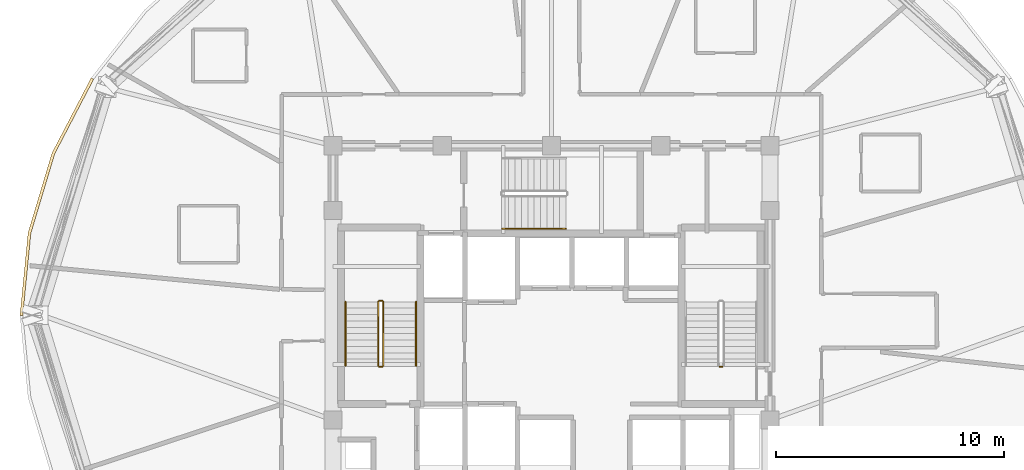
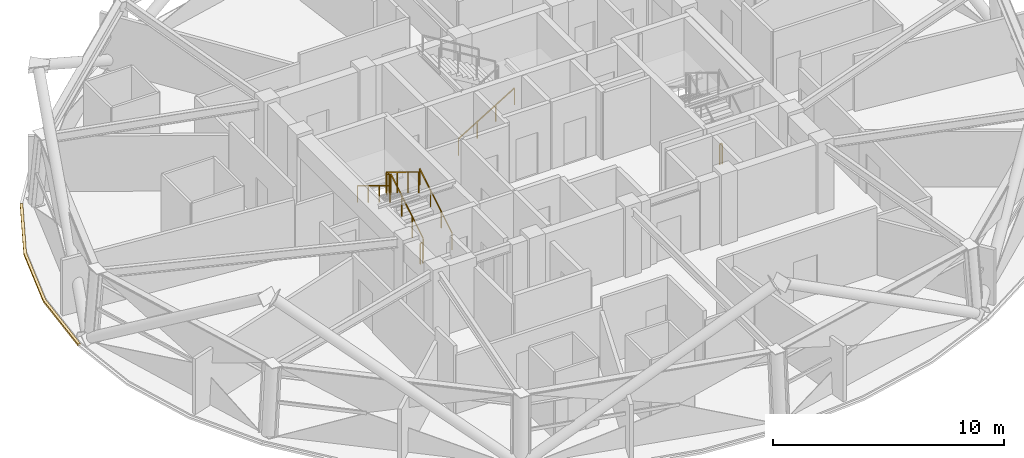
# One storey, part 10 of 12: 8 railings, 1 covering.
"""IFC4 building model written with IfcOpenShell, lengths in metres."""

from ifc_helpers import new_model, si_unit, direction, frame, origin, origin_2d, place, context, subcontext, project, spatial, polyline, rectangle, outline, extrude, material, layer, layer_set, type_object, element, save


model = new_model("IFC4")

# Units and contexts
model_context = context("Model", 3, precision=1e-05, world=origin(), true_north=direction((0.0, 1.0)))
body_context = subcontext(model_context, "Body", "Model", "MODEL_VIEW")
ifc_project = project(units=[si_unit("LENGTHUNIT", "METRE"), si_unit("AREAUNIT", "SQUARE_METRE"), si_unit("VOLUMEUNIT", "CUBIC_METRE"), si_unit("PLANEANGLEUNIT", "RADIAN"), si_unit("MASSUNIT", "GRAM", prefix="KILO")], contexts=[model_context])

# Site, building, storey
site_placement = place(None, origin())
site = spatial("IfcSite", under=ifc_project, at=site_placement, CompositionType="ELEMENT")
building_placement = place(site_placement, origin())
building = spatial("IfcBuilding", under=site, at=building_placement, Name="Vantalir Tower", CompositionType="ELEMENT")
storey_placement = place(building_placement, frame((0.0, 0.0, 197.39990234375)))
storey = spatial("IfcBuildingStorey", under=building, at=storey_placement, Name="L49", CompositionType="ELEMENT", Elevation=197.39990234375)

# Covering
ifc_material_1 = material(Name="Anodised champagne aluminium sill fascia", Category="aluminium")
ifc_layer = layer(ifc_material_1, 0.125)
ifc_layer_set = layer_set([ifc_layer], Name="Anodised champagne aluminium sill fascia")
covering_type = type_object("IfcCoveringType", Name="COV-SLAB-FASCIA-125", PredefinedType="CLADDING", material=ifc_layer_set)
covering_placement = place(storey_placement, frame((0.0, 0.0, -0.179931640625)))
element("IfcCovering", 1, at=covering_placement, inside=storey, type_object=covering_type, Name="L49 Perimeter Slab-Edge Sill Fascia 06", PredefinedType="CLADDING", context=body_context, shape_type="SweptSolid", body=[
    extrude(outline(polyline([(11.277099609375, 35.430908203125), (9.556884765625, 32.135986328125), (8.50390625, 28.623046875), (8.14892578125, 25.0), (8.27392578125, 25.0), (8.626953125, 28.60107421875), (9.675048828125, 32.093017578125), (11.385986328125, 35.368896484375), (11.277099609375, 35.430908203125)])), origin(), (0.0, 0.0, 1.0), 0.10498046875),
])

# Railings
ifc_material_2 = material(Name="Anodised aluminium and stainless steel guard", Category="steel")
railing_type_1 = type_object("IfcRailingType", Name="RAL-GUARD-1120", PredefinedType="GUARDRAIL", material=ifc_material_2)
railing_1_placement = place(storey_placement, frame((24.110107421875, 22.7900390625, 0.170654296875)))
element("IfcRailing", 2, at=railing_1_placement, inside=storey, type_object=railing_type_1, Name="L49 ST1 stair guard 1", PredefinedType="GUARDRAIL", context=body_context, shape_type="SweptSolid", body=[
    extrude(rectangle(XDim=0.048095703125, YDim=0.048095703125, at=origin_2d()), frame((0.0, 0.0, 1.09619140625), z_axis=(0.0, 0.854202870247, 0.519939858505), x_axis=(-1.0, 0.0, 0.0)), (0.0, 0.0, 1.0), 3.278076171875),
    extrude(rectangle(XDim=0.0419921875, YDim=0.0419921875, at=origin_2d()), origin(), (0.0, 0.0, 1.0), 1.072021484375),
    extrude(rectangle(XDim=0.0419921875, YDim=0.0419921875, at=origin_2d()), frame((0.0, 0.933349609375, 0.568115234375)), (0.0, 0.0, 1.0), 1.072021484375),
    extrude(rectangle(XDim=0.0419921875, YDim=0.0419921875, at=origin_2d()), frame((0.0, 1.86669921875, 1.13623046875)), (0.0, 0.0, 1.0), 1.072021484375),
    extrude(rectangle(XDim=0.0419921875, YDim=0.0419921875, at=origin_2d()), frame((0.0, 2.800048828125, 1.704345703125)), (0.0, 0.0, 1.0), 1.072021484375),
])
railing_2_placement = place(storey_placement, frame((24.06005859375, 25.639892578125, 1.875)))
element("IfcRailing", 3, at=railing_2_placement, inside=storey, type_object=railing_type_1, Name="L49 ST1 stair guard 2", PredefinedType="GUARDRAIL", context=body_context, shape_type="SweptSolid", body=[
    extrude(rectangle(XDim=0.048095703125, YDim=0.048095703125, at=origin_2d()), frame((0.0, 0.0, 1.09619140625), z_axis=(-1.0, 0.0, 0.0), x_axis=(0.0, -1.0, 0.0)), (0.0, 0.0, 1.0), 0.1201171875),
    extrude(rectangle(XDim=0.0419921875, YDim=0.0419921875, at=origin_2d()), origin(), (0.0, 0.0, 1.0), 1.072021484375),
    extrude(rectangle(XDim=0.0419921875, YDim=0.0419921875, at=origin_2d()), frame((-0.1201171875, 0.0, 0.0)), (0.0, 0.0, 1.0), 1.072021484375),
])
railing_3_placement = place(storey_placement, frame((23.889892578125, 25.590087890625, 2.045654296875)))
element("IfcRailing", 4, at=railing_3_placement, inside=storey, type_object=railing_type_1, Name="L49 ST1 stair guard 3", PredefinedType="GUARDRAIL", context=body_context, shape_type="SweptSolid", body=[
    extrude(rectangle(XDim=0.048095703125, YDim=0.048095703125, at=origin_2d()), frame((0.0, 0.0, 1.09619140625), z_axis=(0.0, -0.854202870247, 0.519939858505), x_axis=(1.0, 0.0, 0.0)), (0.0, 0.0, 1.0), 3.278076171875),
    extrude(rectangle(XDim=0.0419921875, YDim=0.0419921875, at=origin_2d()), origin(), (0.0, 0.0, 1.0), 1.072021484375),
    extrude(rectangle(XDim=0.0419921875, YDim=0.0419921875, at=origin_2d()), frame((0.0, -0.933349609375, 0.568115234375)), (0.0, 0.0, 1.0), 1.072021484375),
    extrude(rectangle(XDim=0.0419921875, YDim=0.0419921875, at=origin_2d()), frame((0.0, -1.86669921875, 1.13623046875)), (0.0, 0.0, 1.0), 1.072021484375),
    extrude(rectangle(XDim=0.0419921875, YDim=0.0419921875, at=origin_2d()), frame((0.0, -2.800048828125, 1.704345703125)), (0.0, 0.0, 1.0), 1.072021484375),
])
for number, where, name in (
    (5, (24.06005859375, 22.739990234375, 0.0), "L49 ST1 stair guard 4"),
    (6, (39.010009765625, 22.739990234375, 0.0), "L49 ST2 stair guard 4"),
):
    element("IfcRailing", number, at=place(storey_placement, frame(where)), inside=storey, type_object=railing_type_1, Name=name, PredefinedType="GUARDRAIL", context=body_context, shape_type="SweptSolid", body=[
        extrude(rectangle(XDim=0.048095703125, YDim=0.048095703125, at=origin_2d()), frame((0.0, 0.0, 1.09619140625), z_axis=(-1.0, 0.0, 0.0), x_axis=(0.0, -1.0, 0.0)), (0.0, 0.0, 1.0), 0.1201171875),
        extrude(rectangle(XDim=0.0419921875, YDim=0.0419921875, at=origin_2d()), origin(), (0.0, 0.0, 1.0), 1.072021484375),
        extrude(rectangle(XDim=0.0419921875, YDim=0.0419921875, at=origin_2d()), frame((-0.1201171875, 0.0, 0.0)), (0.0, 0.0, 1.0), 1.072021484375),
    ])
ifc_material_3 = material(Name="Brushed stainless steel tubular handrail", Category="steel")
railing_type_2 = type_object("IfcRailingType", Name="RAL-HANDRAIL-900", PredefinedType="HANDRAIL", material=ifc_material_3)
railing_4_placement = place(storey_placement, frame((25.550048828125, 22.7900390625, 0.170654296875)))
element("IfcRailing", 7, at=railing_4_placement, inside=storey, type_object=railing_type_2, Name="L49 ST1 stair handrail 1", PredefinedType="HANDRAIL", context=body_context, shape_type="SweptSolid", body=[
    extrude(rectangle(XDim=0.048095703125, YDim=0.048095703125, at=origin_2d()), frame((0.0, 0.0, 0.8759765625), z_axis=(0.0, 0.854202870247, 0.519939858505), x_axis=(-1.0, 0.0, 0.0)), (0.0, 0.0, 1.0), 3.278076171875),
    extrude(rectangle(XDim=0.0419921875, YDim=0.0419921875, at=origin_2d()), origin(), (0.0, 0.0, 1.0), 0.851806640625),
    extrude(rectangle(XDim=0.0419921875, YDim=0.0419921875, at=origin_2d()), frame((0.0, 0.933349609375, 0.568115234375)), (0.0, 0.0, 1.0), 0.851806640625),
    extrude(rectangle(XDim=0.0419921875, YDim=0.0419921875, at=origin_2d()), frame((0.0, 1.86669921875, 1.13623046875)), (0.0, 0.0, 1.0), 0.851806640625),
    extrude(rectangle(XDim=0.0419921875, YDim=0.0419921875, at=origin_2d()), frame((0.0, 2.800048828125, 1.704345703125)), (0.0, 0.0, 1.0), 0.851806640625),
])
railing_5_placement = place(storey_placement, frame((22.449951171875, 25.590087890625, 2.045654296875)))
element("IfcRailing", 8, at=railing_5_placement, inside=storey, type_object=railing_type_2, Name="L49 ST1 stair handrail 2", PredefinedType="HANDRAIL", context=body_context, shape_type="SweptSolid", body=[
    extrude(rectangle(XDim=0.048095703125, YDim=0.048095703125, at=origin_2d()), frame((0.0, 0.0, 0.8759765625), z_axis=(0.0, -0.854202870247, 0.519939858505), x_axis=(1.0, 0.0, 0.0)), (0.0, 0.0, 1.0), 3.278076171875),
    extrude(rectangle(XDim=0.0419921875, YDim=0.0419921875, at=origin_2d()), origin(), (0.0, 0.0, 1.0), 0.851806640625),
    extrude(rectangle(XDim=0.0419921875, YDim=0.0419921875, at=origin_2d()), frame((0.0, -0.933349609375, 0.568115234375)), (0.0, 0.0, 1.0), 0.851806640625),
    extrude(rectangle(XDim=0.0419921875, YDim=0.0419921875, at=origin_2d()), frame((0.0, -1.86669921875, 1.13623046875)), (0.0, 0.0, 1.0), 0.851806640625),
    extrude(rectangle(XDim=0.0419921875, YDim=0.0419921875, at=origin_2d()), frame((0.0, -2.800048828125, 1.704345703125)), (0.0, 0.0, 1.0), 0.851806640625),
])
railing_6_placement = place(storey_placement, frame((29.340087890625, 28.800048828125, 0.170654296875)))
element("IfcRailing", 9, at=railing_6_placement, inside=storey, type_object=railing_type_2, Name="L49 ST3 stair handrail 1", PredefinedType="HANDRAIL", context=body_context, shape_type="SweptSolid", body=[
    extrude(rectangle(XDim=0.048095703125, YDim=0.048095703125, at=origin_2d()), frame((0.0, 0.0, 0.8759765625), z_axis=(0.854182733786, 0.0, 0.519972939009), x_axis=(0.0, 1.0, 0.0)), (0.0, 0.0, 1.0), 3.27783203125),
    extrude(rectangle(XDim=0.0419921875, YDim=0.0419921875, at=origin_2d()), origin(), (0.0, 0.0, 1.0), 0.851806640625),
    extrude(rectangle(XDim=0.0419921875, YDim=0.0419921875, at=origin_2d()), frame((0.933349609375, 0.0, 0.568115234375)), (0.0, 0.0, 1.0), 0.851806640625),
    extrude(rectangle(XDim=0.0419921875, YDim=0.0419921875, at=origin_2d()), frame((1.866455078125, 0.0, 1.13623046875)), (0.0, 0.0, 1.0), 0.851806640625),
    extrude(rectangle(XDim=0.0419921875, YDim=0.0419921875, at=origin_2d()), frame((2.7998046875, 0.0, 1.704345703125)), (0.0, 0.0, 1.0), 0.851806640625),
])

save(model, "model.ifc")
